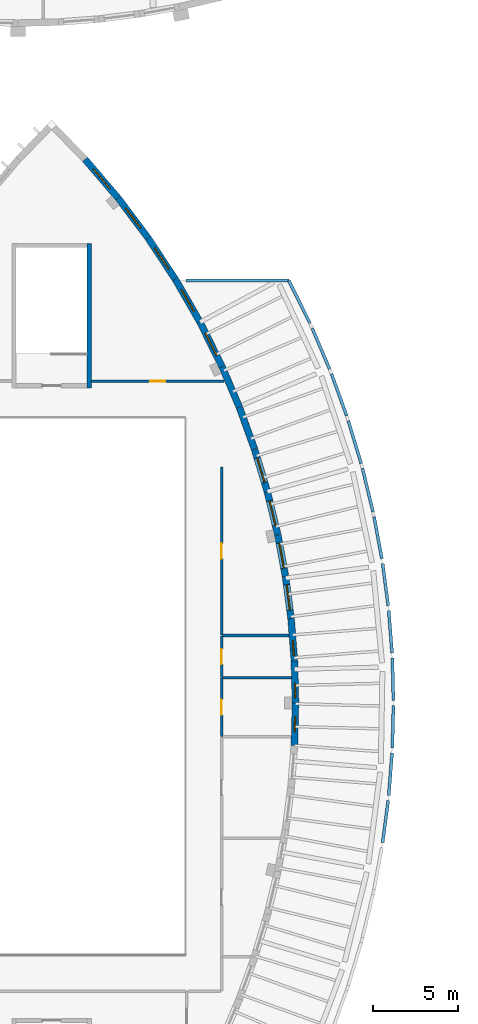
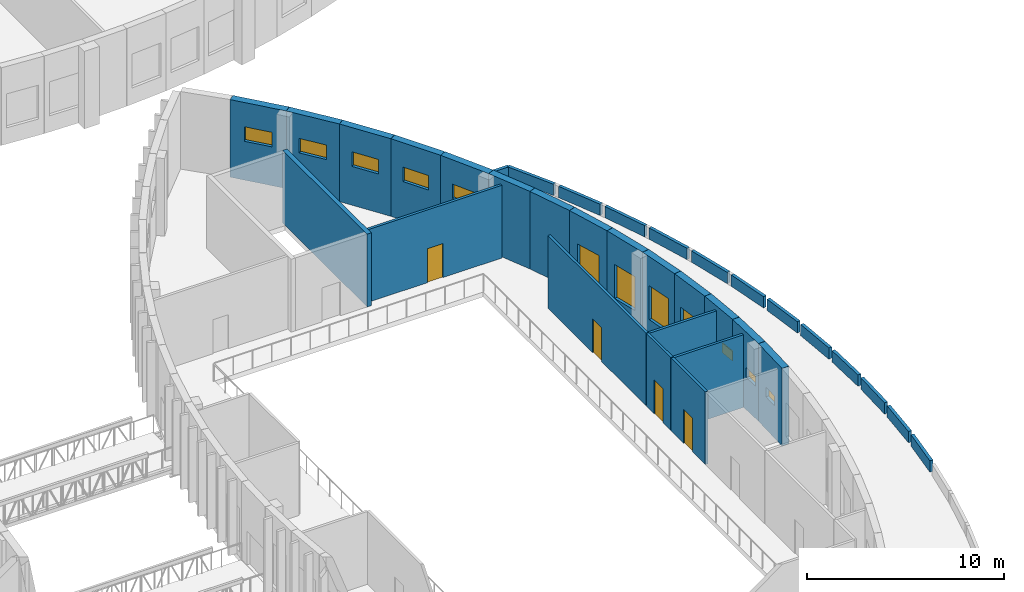
# One storey, part 74 of 93: 34 walls, 12 windows, 4 doors, 16 openings.
"""IFC4 building model written with IfcOpenShell, lengths in metres."""

from ifc_helpers import new_model, si_unit, direction, frame, frame_2d, origin, place, context, subcontext, project, spatial, rectangle, extrude, material, layer, layer_set, type_object, element, fill, save


model = new_model("IFC4")

# Units and contexts
model_context = context("Model", 3, precision=1e-05, world=origin(), true_north=direction((0.0, 1.0)))
body_context = subcontext(model_context, "Body", "Model", "MODEL_VIEW")
ifc_project = project(units=[si_unit("LENGTHUNIT", "METRE"), si_unit("AREAUNIT", "SQUARE_METRE"), si_unit("VOLUMEUNIT", "CUBIC_METRE"), si_unit("PLANEANGLEUNIT", "RADIAN"), si_unit("MASSUNIT", "GRAM", prefix="KILO")], contexts=[model_context])

# Site, building, storey
site_placement = place(None, origin())
site = spatial("IfcSite", under=ifc_project, at=site_placement, CompositionType="ELEMENT")
building_placement = place(site_placement, origin())
building = spatial("IfcBuilding", under=site, at=building_placement, Name="Tide Square Theatres", CompositionType="ELEMENT")
storey_placement = place(building_placement, frame((0.0, 0.0, 5.39990234375)))
storey = spatial("IfcBuildingStorey", under=building, at=storey_placement, Name="L01", CompositionType="ELEMENT", Elevation=5.39990234375)

# Wall, opening, door
ifc_material_1 = material(Name="Gypsum board on steel studs", Category="steel")
ifc_layer_1 = layer(ifc_material_1, 0.14990234375)
ifc_layer_set_1 = layer_set([ifc_layer_1], Name="Gypsum board on steel studs")
wall_type_1 = type_object("IfcWallType", Name="Partition 150 thick", PredefinedType="PARTITIONING", material=ifc_layer_set_1)
wall_1_placement = place(storey_placement, frame((142.050048828125, 46.47998046875, 0.0), z_axis=(0.0, 0.0, 1.0), x_axis=(0.0, -1.0, 0.0)))
wall_1 = element("IfcWall", 1, at=wall_1_placement, inside=storey, type_object=wall_type_1, Name="Black Box Theatre partition", PredefinedType="PARTITIONING", context=body_context, shape_type="SweptSolid", body=[
    extrude(rectangle(XDim=3.4599609375, YDim=0.14990234375, at=frame_2d((1.72998046875, 0.0))), origin(), (0.0, 0.0, 1.0), 4.5),
])
opening_1_placement = place(wall_1_placement, frame((1.280029296875, 0.0, 0.0)))
opening_1 = element("IfcOpeningElement", 2, at=opening_1_placement, cuts=wall_1, Name="Opening B01-09", PredefinedType="OPENING", context=body_context, shape_type="SweptSolid", body=[
    extrude(rectangle(XDim=0.89990234375, YDim=2.10009765625, at=frame_2d((0.449951171875, 1.050048828125))), frame((0.0, 0.0849609375, 0.0), z_axis=(0.0, -1.0, 0.0), x_axis=(1.0, 0.0, 0.0)), (0.0, 0.0, 1.0), 0.169921875),
])
ifc_material_2 = material(Name="Hardwood timber", Category="wood")
door_type = type_object("IfcDoorType", Name="Door 900 x 2100 single leaf", OperationType="NOTDEFINED", PredefinedType="DOOR", material=ifc_material_2)
door_1_placement = place(opening_1_placement, origin())
door_1 = element("IfcDoor", 3, at=door_1_placement, inside=storey, type_object=door_type, Name="Women's WC door", OperationType="SINGLE_SWING_RIGHT", OverallHeight=2.10009765625, OverallWidth=0.89990234375, PredefinedType="DOOR", context=body_context, shape_type="SweptSolid", body=[
    extrude(rectangle(XDim=0.89990234375, YDim=2.10009765625, at=frame_2d((0.449951171875, 1.050048828125))), frame((0.0, 0.02490234375, 0.0), z_axis=(0.0, -1.0, 0.0), x_axis=(1.0, 0.0, 0.0)), (0.0, 0.0, 1.0), 0.050048828125),
])
fill(opening_1, door_1)

wall_2_placement = place(storey_placement, frame((142.050048828125, 48.97998046875, 0.0), z_axis=(0.0, 0.0, 1.0), x_axis=(0.0, -1.0, 0.0)))
wall_2 = element("IfcWall", 4, at=wall_2_placement, inside=storey, type_object=wall_type_1, Name="Black Box Theatre partition", PredefinedType="PARTITIONING", context=body_context, shape_type="SweptSolid", body=[
    extrude(rectangle(XDim=2.4599609375, YDim=0.14990234375, at=frame_2d((1.22998046875, 0.0))), origin(), (0.0, 0.0, 1.0), 4.5),
])
opening_2_placement = place(wall_2_placement, frame((0.780029296875, 0.0, 0.0)))
opening_2 = element("IfcOpeningElement", 5, at=opening_2_placement, cuts=wall_2, Name="Opening B01-10", PredefinedType="OPENING", context=body_context, shape_type="SweptSolid", body=[
    extrude(rectangle(XDim=0.89990234375, YDim=2.10009765625, at=frame_2d((0.449951171875, 1.050048828125))), frame((0.0, 0.0849609375, 0.0), z_axis=(0.0, -1.0, 0.0), x_axis=(1.0, 0.0, 0.0)), (0.0, 0.0, 1.0), 0.169921875),
])
door_2_placement = place(opening_2_placement, origin())
door_2 = element("IfcDoor", 6, at=door_2_placement, inside=storey, type_object=door_type, Name="Accessible WC door", OperationType="SINGLE_SWING_RIGHT", OverallHeight=2.10009765625, OverallWidth=0.89990234375, PredefinedType="DOOR", context=body_context, shape_type="SweptSolid", body=[
    extrude(rectangle(XDim=0.89990234375, YDim=2.10009765625, at=frame_2d((0.449951171875, 1.050048828125))), frame((0.0, 0.02490234375, 0.0), z_axis=(0.0, -1.0, 0.0), x_axis=(1.0, 0.0, 0.0)), (0.0, 0.0, 1.0), 0.050048828125),
])
fill(opening_2, door_2)

wall_3_placement = place(storey_placement, frame((142.050048828125, 58.97998046875, 0.0), z_axis=(0.0, 0.0, 1.0), x_axis=(0.0, -1.0, 0.0)))
wall_3 = element("IfcWall", 7, at=wall_3_placement, inside=storey, type_object=wall_type_1, Name="Black Box Theatre partition", PredefinedType="PARTITIONING", context=body_context, shape_type="SweptSolid", body=[
    extrude(rectangle(XDim=9.9599609375, YDim=0.14990234375, at=frame_2d((4.97998046875, 0.0))), origin(), (0.0, 0.0, 1.0), 4.5),
])
opening_3_placement = place(wall_3_placement, frame((4.530029296875, 0.0, 0.0)))
opening_3 = element("IfcOpeningElement", 8, at=opening_3_placement, cuts=wall_3, Name="Opening B01-11", PredefinedType="OPENING", context=body_context, shape_type="SweptSolid", body=[
    extrude(rectangle(XDim=0.89990234375, YDim=2.10009765625, at=frame_2d((0.449951171875, 1.050048828125))), frame((0.0, 0.0849609375, 0.0), z_axis=(0.0, -1.0, 0.0), x_axis=(1.0, 0.0, 0.0)), (0.0, 0.0, 1.0), 0.169921875),
])
door_3_placement = place(opening_3_placement, origin())
door_3 = element("IfcDoor", 9, at=door_3_placement, inside=storey, type_object=door_type, Name="Production Office door", OperationType="SINGLE_SWING_RIGHT", OverallHeight=2.10009765625, OverallWidth=0.89990234375, PredefinedType="DOOR", context=body_context, shape_type="SweptSolid", body=[
    extrude(rectangle(XDim=0.89990234375, YDim=2.10009765625, at=frame_2d((0.449951171875, 1.050048828125))), frame((0.0, 0.02490234375, 0.0), z_axis=(0.0, -1.0, 0.0), x_axis=(1.0, 0.0, 0.0)), (0.0, 0.0, 1.0), 0.050048828125),
])
fill(opening_3, door_3)

wall_4_placement = place(storey_placement, frame((134.349609375, 64.050048828125, 0.0), z_axis=(0.0, 0.0, 1.0), x_axis=(1.0, 0.0, 0.0)))
wall_4 = element("IfcWall", 10, at=wall_4_placement, inside=storey, type_object=wall_type_1, Name="Black Box Theatre partition", PredefinedType="PARTITIONING", context=body_context, shape_type="SweptSolid", body=[
    extrude(rectangle(XDim=7.841796875, YDim=0.14990234375, at=frame_2d((3.9208984375, 0.0))), origin(), (0.0, 0.0, 1.0), 4.5),
])
opening_4_placement = place(wall_4_placement, frame((3.470947265625, 0.0, 0.0)))
opening_4 = element("IfcOpeningElement", 11, at=opening_4_placement, cuts=wall_4, Name="Opening B01-15", PredefinedType="OPENING", context=body_context, shape_type="SweptSolid", body=[
    extrude(rectangle(XDim=0.89990234375, YDim=2.10009765625, at=frame_2d((0.449951171875, 1.050048828125))), frame((0.0, 0.0849609375, 0.0), z_axis=(0.0, -1.0, 0.0), x_axis=(1.0, 0.0, 0.0)), (0.0, 0.0, 1.0), 0.169921875),
])
door_4_placement = place(opening_4_placement, origin())
door_4 = element("IfcDoor", 12, at=door_4_placement, inside=storey, type_object=door_type, Name="Rigging Store door", OperationType="SINGLE_SWING_RIGHT", OverallHeight=2.10009765625, OverallWidth=0.89990234375, PredefinedType="DOOR", context=body_context, shape_type="SweptSolid", body=[
    extrude(rectangle(XDim=0.89990234375, YDim=2.10009765625, at=frame_2d((0.449951171875, 1.050048828125))), frame((0.0, 0.02490234375, 0.0), z_axis=(0.0, -1.0, 0.0), x_axis=(1.0, 0.0, 0.0)), (0.0, 0.0, 1.0), 0.050048828125),
])
fill(opening_4, door_4)

# Walls
wall_5_placement = place(storey_placement, frame((142.110107421875, 46.5, 0.0), z_axis=(0.0, 0.0, 1.0), x_axis=(1.0, 0.0, 0.0)))
element("IfcWall", 13, at=wall_5_placement, inside=storey, type_object=wall_type_1, Name="Black Box Theatre partition", PredefinedType="PARTITIONING", context=body_context, shape_type="SweptSolid", body=[
    extrude(rectangle(XDim=4.077880859375, YDim=0.14990234375, at=frame_2d((2.0390625, 0.0))), origin(), (0.0, 0.0, 1.0), 4.5),
])
wall_6_placement = place(storey_placement, frame((142.110107421875, 49.0, 0.0), z_axis=(0.0, 0.0, 1.0), x_axis=(1.0, 0.0, 0.0)))
element("IfcWall", 14, at=wall_6_placement, inside=storey, type_object=wall_type_1, Name="Black Box Theatre partition", PredefinedType="PARTITIONING", context=body_context, shape_type="SweptSolid", body=[
    extrude(rectangle(XDim=3.933349609375, YDim=0.14990234375, at=frame_2d((1.966796875, 0.0))), origin(), (0.0, 0.0, 1.0), 4.5),
])

# Wall, opening, window
ifc_material_3 = material(Name="Concrete C40", Category="concrete")
ifc_layer_2 = layer(ifc_material_3, 0.39990234375)
ifc_layer_set_2 = layer_set([ifc_layer_2], Name="Concrete C40")
wall_type_2 = type_object("IfcWallType", Name="RC curved wall 400 thick", PredefinedType="SOLIDWALL", material=ifc_layer_set_2)
wall_7_placement = place(storey_placement, frame((146.361328125, 42.498291015625, 0.0), z_axis=(0.0, 0.0, 1.0), x_axis=(0.026296399089, 0.999654189905, 0.0)))
wall_7 = element("IfcWall", 15, at=wall_7_placement, inside=storey, type_object=wall_type_2, Name="Black Box Theatre perimeter wall", PredefinedType="SOLIDWALL", context=body_context, shape_type="SweptSolid", body=[
    extrude(rectangle(XDim=2.49755859375, YDim=0.39990234375, at=frame_2d((1.248779296875, 0.0))), origin(), (0.0, 0.0, 1.0), 4.800048828125),
])
opening_5_placement = place(wall_7_placement, frame((0.798583984375, 0.0, 2.0)))
opening_5 = element("IfcOpeningElement", 16, at=opening_5_placement, cuts=wall_7, Name="Opening WN-12", PredefinedType="OPENING", context=body_context, shape_type="SweptSolid", body=[
    extrude(rectangle(XDim=0.89990234375, YDim=0.60009765625, at=frame_2d((0.449951171875, 0.300048828125))), frame((0.0, 0.2099609375, 0.0), z_axis=(0.0, -1.0, 0.0), x_axis=(1.0, 0.0, 0.0)), (0.0, 0.0, 1.0), 0.419921875),
])
ifc_material_4 = material(Name="Aluminium with laminated glass", Category="aluminium")
window_type_1 = type_object("IfcWindowType", Name="Window 900 x 600", PartitioningType="SINGLE_PANEL", PredefinedType="WINDOW", material=ifc_material_4)
window_1_placement = place(opening_5_placement, origin())
window_1 = element("IfcWindow", 17, at=window_1_placement, inside=storey, type_object=window_type_1, Name="Black Box Theatre Women's WC window", OverallHeight=0.60009765625, OverallWidth=0.89990234375, PartitioningType="SINGLE_PANEL", PredefinedType="WINDOW", context=body_context, shape_type="SweptSolid", body=[
    extrude(rectangle(XDim=0.89990234375, YDim=0.60009765625, at=frame_2d((0.449951171875, 0.300048828125))), frame((0.0, 0.030029296875, 0.0), z_axis=(0.0, -1.0, 0.0), x_axis=(1.0, 0.0, 0.0)), (0.0, 0.0, 1.0), 0.06005859375),
])
fill(opening_5, window_1)

wall_8_placement = place(storey_placement, frame((146.427001953125, 45.005126953125, 0.0), z_axis=(0.0, 0.0, 1.0), x_axis=(-0.026296399089, 0.999654189905, 0.0)))
wall_8 = element("IfcWall", 18, at=wall_8_placement, inside=storey, type_object=wall_type_2, Name="Black Box Theatre perimeter wall", PredefinedType="SOLIDWALL", context=body_context, shape_type="SweptSolid", body=[
    extrude(rectangle(XDim=2.49755859375, YDim=0.39990234375, at=frame_2d((1.248779296875, 0.0))), origin(), (0.0, 0.0, 1.0), 4.800048828125),
])
opening_6_placement = place(wall_8_placement, frame((0.275390625, 0.0, 2.0)))
opening_6 = element("IfcOpeningElement", 19, at=opening_6_placement, cuts=wall_8, Name="Opening WN-12", PredefinedType="OPENING", context=body_context, shape_type="SweptSolid", body=[
    extrude(rectangle(XDim=0.89990234375, YDim=0.60009765625, at=frame_2d((0.449951171875, 0.300048828125))), frame((0.0, 0.2099609375, 0.0), z_axis=(0.0, -1.0, 0.0), x_axis=(1.0, 0.0, 0.0)), (0.0, 0.0, 1.0), 0.419921875),
])
window_2_placement = place(opening_6_placement, origin())
window_2 = element("IfcWindow", 20, at=window_2_placement, inside=storey, type_object=window_type_1, Name="Black Box Theatre Women's WC window", OverallHeight=0.60009765625, OverallWidth=0.89990234375, PartitioningType="SINGLE_PANEL", PredefinedType="WINDOW", context=body_context, shape_type="SweptSolid", body=[
    extrude(rectangle(XDim=0.89990234375, YDim=0.60009765625, at=frame_2d((0.449951171875, 0.300048828125))), frame((0.0, 0.030029296875, 0.0), z_axis=(0.0, -1.0, 0.0), x_axis=(1.0, 0.0, 0.0)), (0.0, 0.0, 1.0), 0.06005859375),
])
fill(opening_6, window_2)

wall_9_placement = place(storey_placement, frame((146.36083984375, 47.511962890625, 0.0), z_axis=(0.0, 0.0, 1.0), x_axis=(-0.078602769132, 0.996906015974, 0.0)))
wall_9 = element("IfcWall", 21, at=wall_9_placement, inside=storey, type_object=wall_type_2, Name="Black Box Theatre perimeter wall", PredefinedType="SOLIDWALL", context=body_context, shape_type="SweptSolid", body=[
    extrude(rectangle(XDim=2.497314453125, YDim=0.39990234375, at=frame_2d((1.24853515625, 0.0))), origin(), (0.0, 0.0, 1.0), 4.800048828125),
])
opening_7_placement = place(wall_9_placement, frame((0.279296875, 0.0, 2.0)))
opening_7 = element("IfcOpeningElement", 22, at=opening_7_placement, cuts=wall_9, Name="Opening WN-12", PredefinedType="OPENING", context=body_context, shape_type="SweptSolid", body=[
    extrude(rectangle(XDim=0.89990234375, YDim=0.60009765625, at=frame_2d((0.449951171875, 0.300048828125))), frame((0.0, 0.2099609375, 0.0), z_axis=(0.0, -1.0, 0.0), x_axis=(1.0, 0.0, 0.0)), (0.0, 0.0, 1.0), 0.419921875),
])
window_3_placement = place(opening_7_placement, origin())
window_3 = element("IfcWindow", 23, at=window_3_placement, inside=storey, type_object=window_type_1, Name="Black Box Theatre Accessible WC window", OverallHeight=0.60009765625, OverallWidth=0.89990234375, PartitioningType="SINGLE_PANEL", PredefinedType="WINDOW", context=body_context, shape_type="SweptSolid", body=[
    extrude(rectangle(XDim=0.89990234375, YDim=0.60009765625, at=frame_2d((0.449951171875, 0.300048828125))), frame((0.0, 0.030029296875, 0.0), z_axis=(0.0, -1.0, 0.0), x_axis=(1.0, 0.0, 0.0)), (0.0, 0.0, 1.0), 0.06005859375),
])
fill(opening_7, window_3)

wall_10_placement = place(storey_placement, frame((146.163330078125, 50.011962890625, 0.0), z_axis=(0.0, 0.0, 1.0), x_axis=(-0.130722601708, 0.991418983782, 0.0)))
wall_10 = element("IfcWall", 24, at=wall_10_placement, inside=storey, type_object=wall_type_2, Name="Black Box Theatre perimeter wall", PredefinedType="SOLIDWALL", context=body_context, shape_type="SweptSolid", body=[
    extrude(rectangle(XDim=2.4970703125, YDim=0.39990234375, at=frame_2d((1.24853515625, 0.0))), origin(), (0.0, 0.0, 1.0), 4.800048828125),
])
opening_8_placement = place(wall_10_placement, frame((0.49853515625, 0.0, 0.89990234375)))
opening_8 = element("IfcOpeningElement", 25, at=opening_8_placement, cuts=wall_10, Name="Opening WN-01", PredefinedType="OPENING", context=body_context, shape_type="SweptSolid", body=[
    extrude(rectangle(XDim=1.5, YDim=2.10009765625, at=frame_2d((0.75, 1.050048828125))), frame((0.0, 0.2099609375, 0.0), z_axis=(0.0, -1.0, 0.0), x_axis=(1.0, 0.0, 0.0)), (0.0, 0.0, 1.0), 0.419921875),
])
ifc_material_5 = material(Name="Aluminium with laminated glass", Category="aluminium")
window_type_2 = type_object("IfcWindowType", Name="Window 1500 x 2100", PartitioningType="SINGLE_PANEL", PredefinedType="WINDOW", material=ifc_material_5)
window_4_placement = place(opening_8_placement, origin())
window_4 = element("IfcWindow", 26, at=window_4_placement, inside=storey, type_object=window_type_2, Name="Black Box Theatre Production Office window", OverallHeight=2.10009765625, OverallWidth=1.5, PartitioningType="SINGLE_PANEL", PredefinedType="WINDOW", context=body_context, shape_type="SweptSolid", body=[
    extrude(rectangle(XDim=1.5, YDim=2.10009765625, at=frame_2d((0.75, 1.050048828125))), frame((0.0, 0.030029296875, 0.0), z_axis=(0.0, -1.0, 0.0), x_axis=(1.0, 0.0, 0.0)), (0.0, 0.0, 1.0), 0.06005859375),
])
fill(opening_8, window_4)

wall_11_placement = place(storey_placement, frame((145.835205078125, 52.498046875, 0.0), z_axis=(0.0, 0.0, 1.0), x_axis=(-0.182652956339, 0.983177449671, 0.0)))
wall_11 = element("IfcWall", 27, at=wall_11_placement, inside=storey, type_object=wall_type_2, Name="Black Box Theatre perimeter wall", PredefinedType="SOLIDWALL", context=body_context, shape_type="SweptSolid", body=[
    extrude(rectangle(XDim=2.496826171875, YDim=0.39990234375, at=frame_2d((1.24853515625, 0.0))), origin(), (0.0, 0.0, 1.0), 4.800048828125),
])
opening_9_placement = place(wall_11_placement, frame((0.498291015625, 0.0, 0.89990234375)))
opening_9 = element("IfcOpeningElement", 28, at=opening_9_placement, cuts=wall_11, Name="Opening WN-01", PredefinedType="OPENING", context=body_context, shape_type="SweptSolid", body=[
    extrude(rectangle(XDim=1.5, YDim=2.10009765625, at=frame_2d((0.75, 1.050048828125))), frame((0.0, 0.2099609375, 0.0), z_axis=(0.0, -1.0, 0.0), x_axis=(1.0, 0.0, 0.0)), (0.0, 0.0, 1.0), 0.419921875),
])
window_5_placement = place(opening_9_placement, origin())
window_5 = element("IfcWindow", 29, at=window_5_placement, inside=storey, type_object=window_type_2, Name="Black Box Theatre Production Office window", OverallHeight=2.10009765625, OverallWidth=1.5, PartitioningType="SINGLE_PANEL", PredefinedType="WINDOW", context=body_context, shape_type="SweptSolid", body=[
    extrude(rectangle(XDim=1.5, YDim=2.10009765625, at=frame_2d((0.75, 1.050048828125))), frame((0.0, 0.030029296875, 0.0), z_axis=(0.0, -1.0, 0.0), x_axis=(1.0, 0.0, 0.0)), (0.0, 0.0, 1.0), 0.06005859375),
])
fill(opening_9, window_5)

wall_12_placement = place(storey_placement, frame((145.376953125, 54.96337890625, 0.0), z_axis=(0.0, 0.0, 1.0), x_axis=(-0.235108668597, 0.971969091047, 0.0)))
wall_12 = element("IfcWall", 30, at=wall_12_placement, inside=storey, type_object=wall_type_2, Name="Black Box Theatre perimeter wall", PredefinedType="SOLIDWALL", context=body_context, shape_type="SweptSolid", body=[
    extrude(rectangle(XDim=2.61669921875, YDim=0.39990234375, at=frame_2d((1.308349609375, 0.0))), origin(), (0.0, 0.0, 1.0), 4.800048828125),
])
opening_10_placement = place(wall_12_placement, frame((0.558349609375, 0.0, 0.89990234375)))
opening_10 = element("IfcOpeningElement", 31, at=opening_10_placement, cuts=wall_12, Name="Opening WN-01", PredefinedType="OPENING", context=body_context, shape_type="SweptSolid", body=[
    extrude(rectangle(XDim=1.5, YDim=2.10009765625, at=frame_2d((0.75, 1.050048828125))), frame((0.0, 0.2099609375, 0.0), z_axis=(0.0, -1.0, 0.0), x_axis=(1.0, 0.0, 0.0)), (0.0, 0.0, 1.0), 0.419921875),
])
window_6_placement = place(opening_10_placement, origin())
window_6 = element("IfcWindow", 32, at=window_6_placement, inside=storey, type_object=window_type_2, Name="Black Box Theatre Production Office window", OverallHeight=2.10009765625, OverallWidth=1.5, PartitioningType="SINGLE_PANEL", PredefinedType="WINDOW", context=body_context, shape_type="SweptSolid", body=[
    extrude(rectangle(XDim=1.5, YDim=2.10009765625, at=frame_2d((0.75, 1.050048828125))), frame((0.0, 0.030029296875, 0.0), z_axis=(0.0, -1.0, 0.0), x_axis=(1.0, 0.0, 0.0)), (0.0, 0.0, 1.0), 0.06005859375),
])
fill(opening_10, window_6)

wall_13_placement = place(storey_placement, frame((144.7587890625, 57.517333984375, 0.0), z_axis=(0.0, 0.0, 1.0), x_axis=(-0.288212317298, 0.957566530408, 0.0)))
wall_13 = element("IfcWall", 33, at=wall_13_placement, inside=storey, type_object=wall_type_2, Name="Black Box Theatre perimeter wall", PredefinedType="SOLIDWALL", context=body_context, shape_type="SweptSolid", body=[
    extrude(rectangle(XDim=2.61669921875, YDim=0.39990234375, at=frame_2d((1.308349609375, 0.0))), origin(), (0.0, 0.0, 1.0), 4.800048828125),
])
opening_11_placement = place(wall_13_placement, frame((0.558349609375, 0.0, 0.89990234375)))
opening_11 = element("IfcOpeningElement", 34, at=opening_11_placement, cuts=wall_13, Name="Opening WN-01", PredefinedType="OPENING", context=body_context, shape_type="SweptSolid", body=[
    extrude(rectangle(XDim=1.5, YDim=2.10009765625, at=frame_2d((0.75, 1.050048828125))), frame((0.0, 0.2099609375, 0.0), z_axis=(0.0, -1.0, 0.0), x_axis=(1.0, 0.0, 0.0)), (0.0, 0.0, 1.0), 0.419921875),
])
window_7_placement = place(opening_11_placement, origin())
window_7 = element("IfcWindow", 35, at=window_7_placement, inside=storey, type_object=window_type_2, Name="Black Box Theatre Production Office window", OverallHeight=2.10009765625, OverallWidth=1.5, PartitioningType="SINGLE_PANEL", PredefinedType="WINDOW", context=body_context, shape_type="SweptSolid", body=[
    extrude(rectangle(XDim=1.5, YDim=2.10009765625, at=frame_2d((0.75, 1.050048828125))), frame((0.0, 0.030029296875, 0.0), z_axis=(0.0, -1.0, 0.0), x_axis=(1.0, 0.0, 0.0)), (0.0, 0.0, 1.0), 0.06005859375),
])
fill(opening_11, window_7)

# Walls
wall_14_placement = place(storey_placement, frame((144.001220703125, 60.033447265625, 0.0), z_axis=(0.0, 0.0, 1.0), x_axis=(-0.340394146267, 0.940282843184, 0.0)))
element("IfcWall", 36, at=wall_14_placement, inside=storey, type_object=wall_type_2, Name="Black Box Theatre perimeter wall", PredefinedType="SOLIDWALL", context=body_context, shape_type="SweptSolid", body=[
    extrude(rectangle(XDim=2.616455078125, YDim=0.39990234375, at=frame_2d((1.30810546875, 0.0))), origin(), (0.0, 0.0, 1.0), 4.800048828125),
])
wall_15_placement = place(storey_placement, frame((143.106689453125, 62.50390625, 0.0), z_axis=(0.0, 0.0, 1.0), x_axis=(-0.391529943778, 0.920165367271, 0.0)))
element("IfcWall", 37, at=wall_15_placement, inside=storey, type_object=wall_type_2, Name="Black Box Theatre perimeter wall", PredefinedType="SOLIDWALL", context=body_context, shape_type="SweptSolid", body=[
    extrude(rectangle(XDim=2.61572265625, YDim=0.39990234375, at=frame_2d((1.307861328125, 0.0))), origin(), (0.0, 0.0, 1.0), 4.800048828125),
])

# Wall, opening, window
wall_16_placement = place(storey_placement, frame((142.07763671875, 64.921630859375, 0.0), z_axis=(0.0, 0.0, 1.0), x_axis=(-0.44433489597, 0.895860759395, 0.0)))
wall_16 = element("IfcWall", 38, at=wall_16_placement, inside=storey, type_object=wall_type_2, Name="Black Box Theatre perimeter wall", PredefinedType="SOLIDWALL", context=body_context, shape_type="SweptSolid", body=[
    extrude(rectangle(XDim=2.919677734375, YDim=0.39990234375, at=frame_2d((1.4599609375, 0.0))), origin(), (0.0, 0.0, 1.0), 4.800048828125),
])
opening_12_placement = place(wall_16_placement, frame((0.7099609375, 0.0, 2.39990234375)))
opening_12 = element("IfcOpeningElement", 39, at=opening_12_placement, cuts=wall_16, Name="Opening WN-04", PredefinedType="OPENING", context=body_context, shape_type="SweptSolid", body=[
    extrude(rectangle(XDim=1.5, YDim=0.89990234375, at=frame_2d((0.75, 0.449951171875))), frame((0.0, 0.2099609375, 0.0), z_axis=(0.0, -1.0, 0.0), x_axis=(1.0, 0.0, 0.0)), (0.0, 0.0, 1.0), 0.419921875),
])
ifc_material_6 = material(Name="Aluminium with laminated glass", Category="aluminium")
window_type_3 = type_object("IfcWindowType", Name="Window 1500 x 900", PartitioningType="SINGLE_PANEL", PredefinedType="WINDOW", material=ifc_material_6)
window_8_placement = place(opening_12_placement, origin())
window_8 = element("IfcWindow", 40, at=window_8_placement, inside=storey, type_object=window_type_3, Name="Black Box Theatre Rigging Store window", OverallHeight=0.89990234375, OverallWidth=1.5, PartitioningType="SINGLE_PANEL", PredefinedType="WINDOW", context=body_context, shape_type="SweptSolid", body=[
    extrude(rectangle(XDim=1.5, YDim=0.89990234375, at=frame_2d((0.75, 0.449951171875))), frame((0.0, 0.030029296875, 0.0), z_axis=(0.0, -1.0, 0.0), x_axis=(1.0, 0.0, 0.0)), (0.0, 0.0, 1.0), 0.06005859375),
])
fill(opening_12, window_8)

wall_17_placement = place(storey_placement, frame((140.7744140625, 67.548095703125, 0.0), z_axis=(0.0, 0.0, 1.0), x_axis=(-0.498406705095, 0.866943340892, 0.0)))
wall_17 = element("IfcWall", 41, at=wall_17_placement, inside=storey, type_object=wall_type_2, Name="Black Box Theatre perimeter wall", PredefinedType="SOLIDWALL", context=body_context, shape_type="SweptSolid", body=[
    extrude(rectangle(XDim=2.91943359375, YDim=0.39990234375, at=frame_2d((1.459716796875, 0.0))), origin(), (0.0, 0.0, 1.0), 4.800048828125),
])
opening_13_placement = place(wall_17_placement, frame((0.709716796875, 0.0, 2.39990234375)))
opening_13 = element("IfcOpeningElement", 42, at=opening_13_placement, cuts=wall_17, Name="Opening WN-04", PredefinedType="OPENING", context=body_context, shape_type="SweptSolid", body=[
    extrude(rectangle(XDim=1.5, YDim=0.89990234375, at=frame_2d((0.75, 0.449951171875))), frame((0.0, 0.2099609375, 0.0), z_axis=(0.0, -1.0, 0.0), x_axis=(1.0, 0.0, 0.0)), (0.0, 0.0, 1.0), 0.419921875),
])
window_9_placement = place(opening_13_placement, origin())
window_9 = element("IfcWindow", 43, at=window_9_placement, inside=storey, type_object=window_type_3, Name="Black Box Theatre Rigging Store window", OverallHeight=0.89990234375, OverallWidth=1.5, PartitioningType="SINGLE_PANEL", PredefinedType="WINDOW", context=body_context, shape_type="SweptSolid", body=[
    extrude(rectangle(XDim=1.5, YDim=0.89990234375, at=frame_2d((0.75, 0.449951171875))), frame((0.0, 0.030029296875, 0.0), z_axis=(0.0, -1.0, 0.0), x_axis=(1.0, 0.0, 0.0)), (0.0, 0.0, 1.0), 0.06005859375),
])
fill(opening_13, window_9)

wall_18_placement = place(storey_placement, frame((139.31298828125, 70.08935546875, 0.0), z_axis=(0.0, 0.0, 1.0), x_axis=(-0.550602185206, 0.834767772285, 0.0)))
wall_18 = element("IfcWall", 44, at=wall_18_placement, inside=storey, type_object=wall_type_2, Name="Black Box Theatre perimeter wall", PredefinedType="SOLIDWALL", context=body_context, shape_type="SweptSolid", body=[
    extrude(rectangle(XDim=2.91943359375, YDim=0.39990234375, at=frame_2d((1.459716796875, 0.0))), origin(), (0.0, 0.0, 1.0), 4.800048828125),
])
opening_14_placement = place(wall_18_placement, frame((0.709716796875, 0.0, 2.39990234375)))
opening_14 = element("IfcOpeningElement", 45, at=opening_14_placement, cuts=wall_18, Name="Opening WN-04", PredefinedType="OPENING", context=body_context, shape_type="SweptSolid", body=[
    extrude(rectangle(XDim=1.5, YDim=0.89990234375, at=frame_2d((0.75, 0.449951171875))), frame((0.0, 0.2099609375, 0.0), z_axis=(0.0, -1.0, 0.0), x_axis=(1.0, 0.0, 0.0)), (0.0, 0.0, 1.0), 0.419921875),
])
window_10_placement = place(opening_14_placement, origin())
window_10 = element("IfcWindow", 46, at=window_10_placement, inside=storey, type_object=window_type_3, Name="Black Box Theatre Rigging Store window", OverallHeight=0.89990234375, OverallWidth=1.5, PartitioningType="SINGLE_PANEL", PredefinedType="WINDOW", context=body_context, shape_type="SweptSolid", body=[
    extrude(rectangle(XDim=1.5, YDim=0.89990234375, at=frame_2d((0.75, 0.449951171875))), frame((0.0, 0.030029296875, 0.0), z_axis=(0.0, -1.0, 0.0), x_axis=(1.0, 0.0, 0.0)), (0.0, 0.0, 1.0), 0.06005859375),
])
fill(opening_14, window_10)

wall_19_placement = place(storey_placement, frame((137.698486328125, 72.536376953125, 0.0), z_axis=(0.0, 0.0, 1.0), x_axis=(-0.600829330321, 0.799377330068, 0.0)))
wall_19 = element("IfcWall", 47, at=wall_19_placement, inside=storey, type_object=wall_type_2, Name="Black Box Theatre perimeter wall", PredefinedType="SOLIDWALL", context=body_context, shape_type="SweptSolid", body=[
    extrude(rectangle(XDim=2.919189453125, YDim=0.39990234375, at=frame_2d((1.45947265625, 0.0))), origin(), (0.0, 0.0, 1.0), 4.800048828125),
])
opening_15_placement = place(wall_19_placement, frame((0.709716796875, 0.0, 2.39990234375)))
opening_15 = element("IfcOpeningElement", 48, at=opening_15_placement, cuts=wall_19, Name="Opening WN-04", PredefinedType="OPENING", context=body_context, shape_type="SweptSolid", body=[
    extrude(rectangle(XDim=1.5, YDim=0.89990234375, at=frame_2d((0.75, 0.449951171875))), frame((0.0, 0.2099609375, 0.0), z_axis=(0.0, -1.0, 0.0), x_axis=(1.0, 0.0, 0.0)), (0.0, 0.0, 1.0), 0.419921875),
])
window_11_placement = place(opening_15_placement, origin())
window_11 = element("IfcWindow", 49, at=window_11_placement, inside=storey, type_object=window_type_3, Name="Black Box Theatre Rigging Store window", OverallHeight=0.89990234375, OverallWidth=1.5, PartitioningType="SINGLE_PANEL", PredefinedType="WINDOW", context=body_context, shape_type="SweptSolid", body=[
    extrude(rectangle(XDim=1.5, YDim=0.89990234375, at=frame_2d((0.75, 0.449951171875))), frame((0.0, 0.030029296875, 0.0), z_axis=(0.0, -1.0, 0.0), x_axis=(1.0, 0.0, 0.0)), (0.0, 0.0, 1.0), 0.06005859375),
])
fill(opening_15, window_11)

wall_20_placement = place(storey_placement, frame((135.93701171875, 74.879638671875, 0.0), z_axis=(0.0, 0.0, 1.0), x_axis=(-0.649458578854, 0.760396971557, 0.0)))
wall_20 = element("IfcWall", 50, at=wall_20_placement, inside=storey, type_object=wall_type_2, Name="Black Box Theatre perimeter wall", PredefinedType="SOLIDWALL", context=body_context, shape_type="SweptSolid", body=[
    extrude(rectangle(XDim=3.019287109375, YDim=0.39990234375, at=frame_2d((1.509765625, 0.0))), origin(), (0.0, 0.0, 1.0), 4.800048828125),
])
opening_16_placement = place(wall_20_placement, frame((0.759521484375, 0.0, 2.39990234375)))
opening_16 = element("IfcOpeningElement", 51, at=opening_16_placement, cuts=wall_20, Name="Opening WN-04", PredefinedType="OPENING", context=body_context, shape_type="SweptSolid", body=[
    extrude(rectangle(XDim=1.5, YDim=0.89990234375, at=frame_2d((0.75, 0.449951171875))), frame((0.0, 0.2099609375, 0.0), z_axis=(0.0, -1.0, 0.0), x_axis=(1.0, 0.0, 0.0)), (0.0, 0.0, 1.0), 0.419921875),
])
window_12_placement = place(opening_16_placement, origin())
window_12 = element("IfcWindow", 52, at=window_12_placement, inside=storey, type_object=window_type_3, Name="Black Box Theatre Rigging Store window", OverallHeight=0.89990234375, OverallWidth=1.5, PartitioningType="SINGLE_PANEL", PredefinedType="WINDOW", context=body_context, shape_type="SweptSolid", body=[
    extrude(rectangle(XDim=1.5, YDim=0.89990234375, at=frame_2d((0.75, 0.449951171875))), frame((0.0, 0.030029296875, 0.0), z_axis=(0.0, -1.0, 0.0), x_axis=(1.0, 0.0, 0.0)), (0.0, 0.0, 1.0), 0.06005859375),
])
fill(opening_16, window_12)

# Walls
ifc_material_7 = material(Name="Concrete C40", Category="concrete")
ifc_layer_3 = layer(ifc_material_7, 0.179931640625)
ifc_layer_set_3 = layer_set([ifc_layer_3], Name="Concrete C40")
wall_type_3 = type_object("IfcWallType", Name="RC parapet 180 thick", PredefinedType="PARAPET", material=ifc_layer_set_3)
wall_21_placement = place(storey_placement, frame((148.560546875, 64.478271484375, 0.0), z_axis=(0.0, 0.0, 1.0), x_axis=(0.340412874983, -0.940276062944, 0.0)))
element("IfcWall", 53, at=wall_21_placement, inside=storey, type_object=wall_type_3, Name="Arcade roof parapet", PredefinedType="PARAPET", context=body_context, shape_type="SweptSolid", body=[
    extrude(rectangle(XDim=2.638427734375, YDim=0.179931640625, at=frame_2d((1.3193359375, 0.0))), origin(), (0.0, 0.0, 1.0), 0.7001953125),
])
wall_22_placement = place(storey_placement, frame((149.555419921875, 61.705078125, 0.0), z_axis=(0.0, 0.0, 1.0), x_axis=(0.28822210507, -0.957563584389, 0.0)))
element("IfcWall", 54, at=wall_22_placement, inside=storey, type_object=wall_type_3, Name="Arcade roof parapet", PredefinedType="PARAPET", context=body_context, shape_type="SweptSolid", body=[
    extrude(rectangle(XDim=2.638671875, YDim=0.179931640625, at=frame_2d((1.3193359375, 0.0))), origin(), (0.0, 0.0, 1.0), 0.7001953125),
])
wall_23_placement = place(storey_placement, frame((150.396484375, 58.88134765625, 0.0), z_axis=(0.0, 0.0, 1.0), x_axis=(0.235125937345, -0.971964913764, 0.0)))
element("IfcWall", 55, at=wall_23_placement, inside=storey, type_object=wall_type_3, Name="Arcade roof parapet", PredefinedType="PARAPET", context=body_context, shape_type="SweptSolid", body=[
    extrude(rectangle(XDim=2.638427734375, YDim=0.179931640625, at=frame_2d((1.3193359375, 0.0))), origin(), (0.0, 0.0, 1.0), 0.7001953125),
])
for number, where, z_axis, x_axis, name in (
    (56, (151.07958984375, 56.022705078125, 0.0), (0.0, 0.0, 1.0), (0.182655118662, -0.983177047956, 0.0), "Arcade roof parapet"),
    (57, (151.585693359375, 53.256591796875, 0.0), (0.0, 0.0, 1.0), (0.130785547635, -0.991410682074, 0.0), "Arcade roof parapet"),
    (58, (151.94580078125, 50.468017578125, 0.0), (0.0, 0.0, 1.0), (0.078623886843, -0.996904350687, 0.0), "Arcade roof parapet"),
    (59, (152.1591796875, 47.664306640625, 0.0), (0.0, 0.0, 1.0), (0.026176654042, -0.999657332681, 0.0), "Arcade roof parapet"),
    (60, (152.22509765625, 44.85302734375, 0.0), (0.0, 0.0, 1.0), (-0.026176654042, -0.999657332681, 0.0), "Arcade roof parapet"),
    (61, (152.143798828125, 42.04248046875, 0.0), (0.0, 0.0, 1.0), (-0.078623886843, -0.996904350687, 0.0), "Arcade roof parapet"),
    (62, (151.9150390625, 39.239990234375, 0.0), (0.0, 0.0, 1.0), (-0.130785547635, -0.991410682074, 0.0), "Arcade roof parapet"),
):
    element("IfcWall", number, at=place(storey_placement, frame(where, z_axis=z_axis, x_axis=x_axis)), inside=storey, type_object=wall_type_3, Name=name, PredefinedType="PARAPET", context=body_context, shape_type="SweptSolid", body=[
        extrude(rectangle(XDim=2.518310546875, YDim=0.179931640625, at=frame_2d((1.25927734375, 0.0))), origin(), (0.0, 0.0, 1.0), 0.7001953125),
    ])
wall_24_placement = place(storey_placement, frame((139.94140625, 70.0, 0.0), z_axis=(0.0, 0.0, 1.0), x_axis=(1.0, 0.0, 0.0)))
element("IfcWall", 63, at=wall_24_placement, inside=storey, type_object=wall_type_3, Name="Arcade roof parapet", PredefinedType="PARAPET", context=body_context, shape_type="SweptSolid", body=[
    extrude(rectangle(XDim=6.091552734375, YDim=0.179931640625, at=frame_2d((3.0458984375, 0.0))), origin(), (0.0, 0.0, 1.0), 0.7001953125),
])
wall_25_placement = place(storey_placement, frame((146.032958984375, 70.0, 0.0), z_axis=(0.0, 0.0, 1.0), x_axis=(0.444355181764, -0.895850697627, 0.0)))
element("IfcWall", 64, at=wall_25_placement, inside=storey, type_object=wall_type_3, Name="Arcade roof parapet", PredefinedType="PARAPET", context=body_context, shape_type="SweptSolid", body=[
    extrude(rectangle(XDim=2.8037109375, YDim=0.179931640625, at=frame_2d((1.40185546875, 0.0))), origin(), (0.0, 0.0, 1.0), 0.7001953125),
])
wall_26_placement = place(storey_placement, frame((147.414794921875, 67.1923828125, 0.0), z_axis=(0.0, 0.0, 1.0), x_axis=(0.391595169871, -0.920137610868, 0.0)))
element("IfcWall", 65, at=wall_26_placement, inside=storey, type_object=wall_type_3, Name="Arcade roof parapet", PredefinedType="PARAPET", context=body_context, shape_type="SweptSolid", body=[
    extrude(rectangle(XDim=2.638427734375, YDim=0.179931640625, at=frame_2d((1.3193359375, 0.0))), origin(), (0.0, 0.0, 1.0), 0.7001953125),
])
ifc_material_8 = material(Name="Concrete C40", Category="concrete")
ifc_layer_4 = layer(ifc_material_8, 0.25)
ifc_layer_set_4 = layer_set([ifc_layer_4], Name="Concrete C40")
wall_type_4 = type_object("IfcWallType", Name="RC shear wall 250 thick", PredefinedType="SHEAR", material=ifc_layer_set_4)
wall_27_placement = place(storey_placement, frame((134.22509765625, 63.64990234375, 0.0), z_axis=(0.0, 0.0, 1.0), x_axis=(0.0, 1.0, 0.0)))
element("IfcWall", 66, at=wall_27_placement, inside=storey, type_object=wall_type_4, Name="Black Box Theatre Stair B1 shaft wall", PredefinedType="SHEAR", context=body_context, shape_type="SweptSolid", body=[
    extrude(rectangle(XDim=8.550048828125, YDim=0.25, at=frame_2d((4.27490234375, 0.0))), origin(), (0.0, 0.0, 1.0), 4.5),
])

save(model, "model.ifc")
